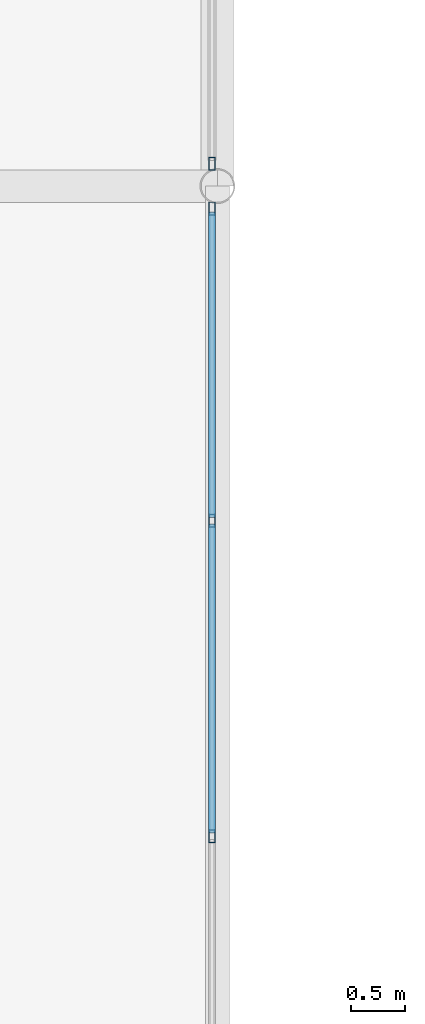
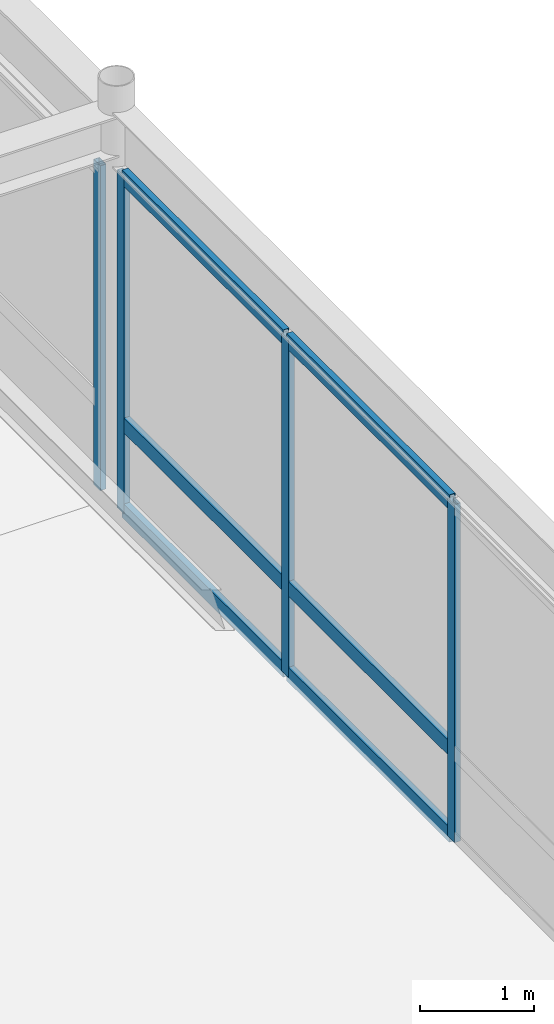
# One storey, part 67 of 127: 10 members, 2 elements without a shape of their own.
"""IFC4 building model written with IfcOpenShell, lengths in metres."""

from ifc_helpers import new_model, si_unit, direction, frame, origin, origin_2d, place, context, subcontext, project, spatial, hollow_rectangle, extrude, material, layer, layer_set, material_profile, profile_set, type_object, element, aggregate, save


model = new_model("IFC4")

# Units and contexts
model_context = context("Model", 3, precision=1e-05, world=origin(), true_north=direction((0.0, 1.0)))
body_context = subcontext(model_context, "Body", "Model", "MODEL_VIEW")
ifc_project = project(units=[si_unit("LENGTHUNIT", "METRE"), si_unit("AREAUNIT", "SQUARE_METRE"), si_unit("VOLUMEUNIT", "CUBIC_METRE"), si_unit("PLANEANGLEUNIT", "RADIAN"), si_unit("MASSUNIT", "GRAM", prefix="KILO")], contexts=[model_context])

# Site, building, storey
site_placement = place(None, origin())
site = spatial("IfcSite", under=ifc_project, at=site_placement, CompositionType="ELEMENT")
building_placement = place(site_placement, origin())
building = spatial("IfcBuilding", under=site, at=building_placement, Name="Montelvaro Courts of Justice", CompositionType="ELEMENT")
storey_placement = place(building_placement, frame((0.0, 0.0, 5.39990234375)))
storey = spatial("IfcBuildingStorey", under=building, at=storey_placement, Name="L01", CompositionType="ELEMENT", Elevation=5.39990234375)

# Curtain wall, member
ifc_material = material(Name="Anodised aluminium EN AW-6063", Category="aluminium")
ifc_layer_1 = layer(ifc_material, 0.159912109375)
ifc_layer_set_1 = layer_set([ifc_layer_1], Name="Anodised aluminium EN AW-6063")
curtain_wall_type_1 = type_object("IfcCurtainWallType", Name="CurtainWall_15_1765x418", PredefinedType="USERDEFINED", material=ifc_layer_set_1)
curtain_wall_1_placement = place(storey_placement, origin())
curtain_wall_1 = element("IfcCurtainWall", 1, at=curtain_wall_1_placement, inside=storey, type_object=curtain_wall_type_1, Name="Curtain Wall CW-15 (L01)", ObjectType="CURTAIN WALL", PredefinedType="USERDEFINED")
ifc_material_profile_1 = material_profile(ifc_material, hollow_rectangle(XDim=0.06005859375, YDim=0.1201171875, WallThickness=0.00341796875, at=origin_2d()), Name="ALU-M 60x120")
ifc_profile_set_1 = profile_set([ifc_material_profile_1], Name="Anodised aluminium EN AW-6063")
member_type_1 = type_object("IfcMemberType", Name="CurtainWall_Mullion_60x120", PredefinedType="MULLION", material=ifc_profile_set_1)
member_1_placement = place(storey_placement, frame((80.949951171875, 78.20703125, 0.0), z_axis=(0.0, 0.0, 1.0), x_axis=(-1.0, 0.0, 0.0)))
member_1 = element("IfcMember", 2, at=member_1_placement, type_object=member_type_1, Name="CW-15 mullion 1", PredefinedType="MULLION", context=body_context, shape_type="SweptSolid", body=[
    extrude(hollow_rectangle(XDim=0.06005859375, YDim=0.1201171875, WallThickness=0.00341796875, at=origin_2d()), origin(), (0.0, 0.0, 1.0), 3.47509765625),
])
aggregate(curtain_wall_1, [member_1])

# Curtain wall, members
ifc_layer_2 = layer(ifc_material, 0.159912109375)
ifc_layer_set_2 = layer_set([ifc_layer_2], Name="Anodised aluminium EN AW-6063")
curtain_wall_type_2 = type_object("IfcCurtainWallType", Name="CurtainWall_16_1165x418", PredefinedType="USERDEFINED", material=ifc_layer_set_2)
curtain_wall_2_placement = place(storey_placement, origin())
curtain_wall_2 = element("IfcCurtainWall", 3, at=curtain_wall_2_placement, inside=storey, type_object=curtain_wall_type_2, Name="Curtain Wall CW-16 (L01)", ObjectType="CURTAIN WALL", PredefinedType="USERDEFINED")
member_2_placement = place(storey_placement, frame((80.949951171875, 72.0, 0.0), z_axis=(0.0, 0.0, 1.0), x_axis=(-1.0, 0.0, 0.0)))
member_2 = element("IfcMember", 4, at=member_2_placement, type_object=member_type_1, Name="CW-16 mullion 3", PredefinedType="MULLION", context=body_context, shape_type="SweptSolid", body=[
    extrude(hollow_rectangle(XDim=0.06005859375, YDim=0.1201171875, WallThickness=0.00341796875, at=origin_2d()), origin(), (0.0, 0.0, 1.0), 3.614990234375),
])
member_3_placement = place(storey_placement, frame((80.949951171875, 74.91162109375, 0.0), z_axis=(0.0, 0.0, 1.0), x_axis=(-1.0, 0.0, 0.0)))
member_3 = element("IfcMember", 5, at=member_3_placement, type_object=member_type_1, Name="CW-16 mullion 4", PredefinedType="MULLION", context=body_context, shape_type="SweptSolid", body=[
    extrude(hollow_rectangle(XDim=0.06005859375, YDim=0.1201171875, WallThickness=0.00341796875, at=origin_2d()), origin(), (0.0, 0.0, 1.0), 3.614990234375),
])
member_4_placement = place(storey_placement, frame((80.949951171875, 77.79296875, 0.0), z_axis=(0.0, 0.0, 1.0), x_axis=(-1.0, 0.0, 0.0)))
member_4 = element("IfcMember", 6, at=member_4_placement, type_object=member_type_1, Name="CW-16 mullion 5", PredefinedType="MULLION", context=body_context, shape_type="SweptSolid", body=[
    extrude(hollow_rectangle(XDim=0.06005859375, YDim=0.1201171875, WallThickness=0.00341796875, at=origin_2d()), origin(), (0.0, 0.0, 1.0), 3.614990234375),
])
ifc_material_profile_2 = material_profile(ifc_material, hollow_rectangle(XDim=0.06005859375, YDim=0.159912109375, WallThickness=0.00439453125, at=origin_2d()), Name="ALU-T 60x160")
ifc_profile_set_2 = profile_set([ifc_material_profile_2], Name="Anodised aluminium EN AW-6063")
member_type_2 = type_object("IfcMemberType", Name="CurtainWall_Transom_60x160", PredefinedType="USERDEFINED", material=ifc_profile_set_2)
member_5_placement = place(storey_placement, frame((80.949951171875, 72.030029296875, 0.030029296875), z_axis=(0.0, 1.0, 0.0), x_axis=(-1.0, 0.0, 0.0)))
member_5 = element("IfcMember", 7, at=member_5_placement, type_object=member_type_2, Name="CW-16 transom 3.1", ObjectType="TRANSOM", PredefinedType="USERDEFINED", context=body_context, shape_type="SweptSolid", body=[
    extrude(hollow_rectangle(XDim=0.06005859375, YDim=0.159912109375, WallThickness=0.00439453125, at=origin_2d()), origin(), (0.0, 0.0, 1.0), 2.8515625),
])
member_6_placement = place(storey_placement, frame((80.949951171875, 72.030029296875, 0.9501953125), z_axis=(0.0, 1.0, 0.0), x_axis=(-1.0, 0.0, 0.0)))
member_6 = element("IfcMember", 8, at=member_6_placement, type_object=member_type_2, Name="CW-16 transom 3.2", ObjectType="TRANSOM", PredefinedType="USERDEFINED", context=body_context, shape_type="SweptSolid", body=[
    extrude(hollow_rectangle(XDim=0.06005859375, YDim=0.159912109375, WallThickness=0.00439453125, at=origin_2d()), origin(), (0.0, 0.0, 1.0), 2.8515625),
])
member_7_placement = place(storey_placement, frame((80.949951171875, 72.030029296875, 3.585205078125), z_axis=(0.0, 1.0, 0.0), x_axis=(-1.0, 0.0, 0.0)))
member_7 = element("IfcMember", 9, at=member_7_placement, type_object=member_type_2, Name="CW-16 transom 3.3", ObjectType="TRANSOM", PredefinedType="USERDEFINED", context=body_context, shape_type="SweptSolid", body=[
    extrude(hollow_rectangle(XDim=0.06005859375, YDim=0.159912109375, WallThickness=0.00439453125, at=origin_2d()), origin(), (0.0, 0.0, 1.0), 2.8515625),
])
member_8_placement = place(storey_placement, frame((80.949951171875, 74.94140625, 0.030029296875), z_axis=(0.0, 1.0, 0.0), x_axis=(-1.0, 0.0, 0.0)))
member_8 = element("IfcMember", 10, at=member_8_placement, type_object=member_type_2, Name="CW-16 transom 4.1", ObjectType="TRANSOM", PredefinedType="USERDEFINED", context=body_context, shape_type="SweptSolid", body=[
    extrude(hollow_rectangle(XDim=0.06005859375, YDim=0.159912109375, WallThickness=0.00439453125, at=origin_2d()), origin(), (0.0, 0.0, 1.0), 2.821533203125),
])
member_9_placement = place(storey_placement, frame((80.949951171875, 74.94140625, 0.9501953125), z_axis=(0.0, 1.0, 0.0), x_axis=(-1.0, 0.0, 0.0)))
member_9 = element("IfcMember", 11, at=member_9_placement, type_object=member_type_2, Name="CW-16 transom 4.2", ObjectType="TRANSOM", PredefinedType="USERDEFINED", context=body_context, shape_type="SweptSolid", body=[
    extrude(hollow_rectangle(XDim=0.06005859375, YDim=0.159912109375, WallThickness=0.00439453125, at=origin_2d()), origin(), (0.0, 0.0, 1.0), 2.821533203125),
])
member_10_placement = place(storey_placement, frame((80.949951171875, 74.94140625, 3.585205078125), z_axis=(0.0, 1.0, 0.0), x_axis=(-1.0, 0.0, 0.0)))
member_10 = element("IfcMember", 12, at=member_10_placement, type_object=member_type_2, Name="CW-16 transom 4.3", ObjectType="TRANSOM", PredefinedType="USERDEFINED", context=body_context, shape_type="SweptSolid", body=[
    extrude(hollow_rectangle(XDim=0.06005859375, YDim=0.159912109375, WallThickness=0.00439453125, at=origin_2d()), origin(), (0.0, 0.0, 1.0), 2.821533203125),
])
aggregate(curtain_wall_2, [member_2, member_3, member_4, member_5, member_6, member_7, member_8, member_9, member_10])

save(model, "model.ifc")
